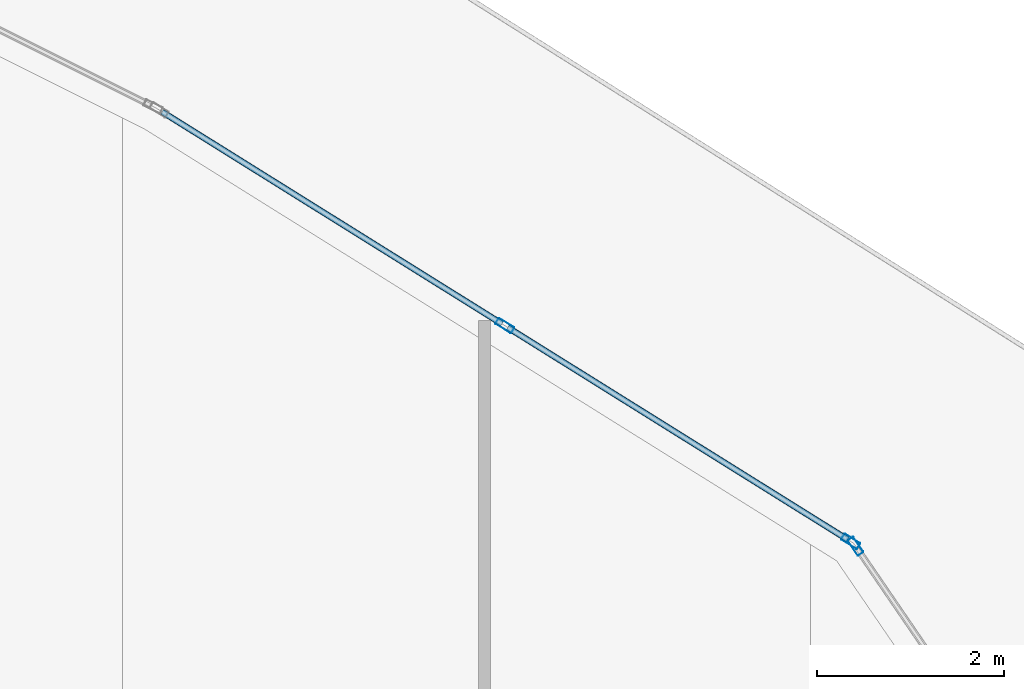
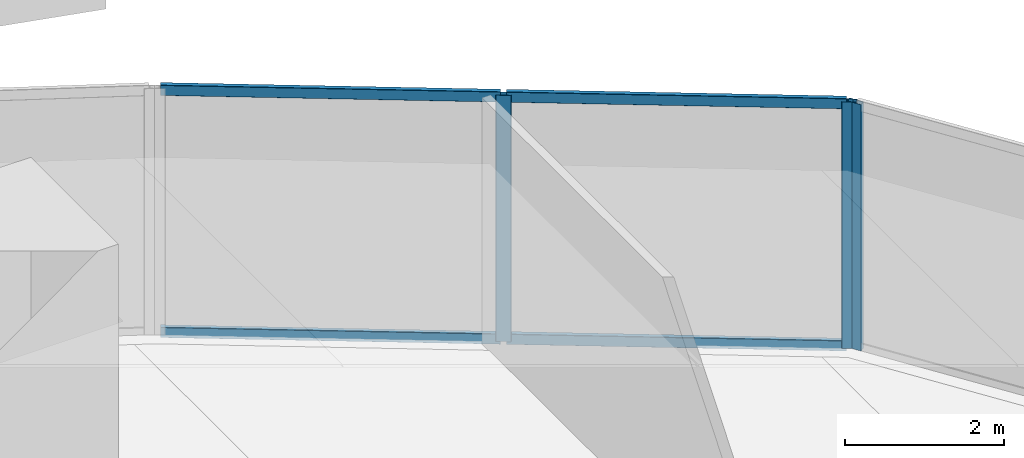
# One storey, part 22 of 38: 7 members, 2 elements without a shape of their own.
"""IFC4 building model written with IfcOpenShell, lengths in metres."""

from ifc_helpers import new_model, si_unit, direction, frame, origin, origin_2d, place, context, subcontext, project, spatial, hollow_rectangle, extrude, material, layer, layer_set, material_profile, profile_set, type_object, element, aggregate, save


model = new_model("IFC4")

# Units and contexts
model_context = context("Model", 3, precision=1e-05, world=origin(), true_north=direction((0.0, 1.0)))
body_context = subcontext(model_context, "Body", "Model", "MODEL_VIEW")
ifc_project = project(units=[si_unit("LENGTHUNIT", "METRE"), si_unit("AREAUNIT", "SQUARE_METRE"), si_unit("VOLUMEUNIT", "CUBIC_METRE"), si_unit("PLANEANGLEUNIT", "RADIAN"), si_unit("MASSUNIT", "GRAM", prefix="KILO")], contexts=[model_context])

# Site, building, storey
site_placement = place(None, origin())
site = spatial("IfcSite", under=ifc_project, at=site_placement, CompositionType="ELEMENT")
building_placement = place(site_placement, origin())
building = spatial("IfcBuilding", under=site, at=building_placement, Name="Qorvath Tower", CompositionType="ELEMENT")
storey_placement = place(building_placement, frame((0.0, 0.0, 158.39990234375)))
storey = spatial("IfcBuildingStorey", under=building, at=storey_placement, Name="L36", CompositionType="ELEMENT", Elevation=158.39990234375)

# Curtain wall, member
ifc_material_1 = material(Name="Anodised aluminium and triple low-E glass", Category="aluminium")
ifc_layer = layer(ifc_material_1, 0.179931640625)
ifc_layer_set = layer_set([ifc_layer], Name="CW-SYS-5")
curtain_wall_type = type_object("IfcCurtainWallType", Name="CW-SYS-5", PredefinedType="NOTDEFINED", material=ifc_layer_set)
curtain_wall_1_placement = place(storey_placement, origin())
curtain_wall_1 = element("IfcCurtainWall", 1, at=curtain_wall_1_placement, inside=storey, type_object=curtain_wall_type, Name="Curtain Wall CW-5 CW-T-L36-13.1", PredefinedType="NOTDEFINED")
ifc_material_2 = material(Name="Anodised aluminium 6063-T6", Category="aluminium")
ifc_material_profile_1 = material_profile(ifc_material_2, hollow_rectangle(XDim=0.074951171875, YDim=0.199951171875, WallThickness=0.00390625, InnerFilletRadius=0.00390625, OuterFilletRadius=0.008056640625, at=origin_2d()), Name="CWM 200x75")
ifc_profile_set_1 = profile_set([ifc_material_profile_1], Name="Anodised aluminium 6063-T6")
member_type_1 = type_object("IfcMemberType", Name="CWM-200", PredefinedType="MULLION", material=ifc_profile_set_1)
member_1_placement = place(storey_placement, frame((-4.56494140625, 22.56298828125, 0.0), z_axis=(0.0, 0.0, 1.0), x_axis=(-0.825559911065, -0.564314480802, 0.0)))
member_1 = element("IfcMember", 2, at=member_1_placement, type_object=member_type_1, Name="CW-5 mullion 2", PredefinedType="MULLION", context=body_context, shape_type="SweptSolid", body=[
    extrude(hollow_rectangle(XDim=0.074951171875, YDim=0.199951171875, WallThickness=0.00390625, InnerFilletRadius=0.00390625, OuterFilletRadius=0.008056640625, at=origin_2d()), origin(), (0.0, 0.0, 1.0), 3.780029296875),
])
aggregate(curtain_wall_1, [member_1])

# Curtain wall, members
curtain_wall_2_placement = place(storey_placement, origin())
curtain_wall_2 = element("IfcCurtainWall", 3, at=curtain_wall_2_placement, inside=storey, type_object=curtain_wall_type, Name="Curtain Wall CW-5 CW-T-L36-14.1", PredefinedType="NOTDEFINED")
member_2_placement = place(storey_placement, frame((-4.617919921875, 22.61376953125, 0.0), z_axis=(0.0, 0.0, 1.0), x_axis=(-0.52938420478, -0.848382203803, 0.0)))
member_2 = element("IfcMember", 4, at=member_2_placement, type_object=member_type_1, Name="CW-5 mullion 1", PredefinedType="MULLION", context=body_context, shape_type="SweptSolid", body=[
    extrude(hollow_rectangle(XDim=0.074951171875, YDim=0.199951171875, WallThickness=0.00390625, InnerFilletRadius=0.00390625, OuterFilletRadius=0.008056640625, at=origin_2d()), origin(), (0.0, 0.0, 1.0), 3.780029296875),
])
member_3_placement = place(storey_placement, frame((-8.30859375, 24.916748046875, 0.0), z_axis=(0.0, 0.0, 1.0), x_axis=(-0.52938420478, -0.848382203803, 0.0)))
member_3 = element("IfcMember", 5, at=member_3_placement, type_object=member_type_1, Name="CW-5 mullion 2", PredefinedType="MULLION", context=body_context, shape_type="SweptSolid", body=[
    extrude(hollow_rectangle(XDim=0.074951171875, YDim=0.199951171875, WallThickness=0.00390625, InnerFilletRadius=0.00390625, OuterFilletRadius=0.008056640625, at=origin_2d()), origin(), (0.0, 0.0, 1.0), 3.780029296875),
])
ifc_material_3 = material(Name="Anodised aluminium 6063-T6", Category="aluminium")
ifc_material_profile_2 = material_profile(ifc_material_3, hollow_rectangle(XDim=0.06494140625, YDim=0.159912109375, WallThickness=0.00341796875, InnerFilletRadius=0.00341796875, OuterFilletRadius=0.007080078125, at=origin_2d()), Name="CWT 160x65")
ifc_profile_set_2 = profile_set([ifc_material_profile_2], Name="Anodised aluminium 6063-T6")
member_type_2 = type_object("IfcMemberType", Name="CWT-160", PredefinedType="USERDEFINED", material=ifc_profile_set_2)
member_4_placement = place(storey_placement, frame((-4.64990234375, 22.6337890625, 0.032470703125), z_axis=(-0.848383071961, 0.529382813481, 0.0), x_axis=(-0.529382813481, -0.848383071961, 0.0)))
member_4 = element("IfcMember", 6, at=member_4_placement, type_object=member_type_2, Name="CW-5 transom 1.1", ObjectType="TRANSOM", PredefinedType="USERDEFINED", context=body_context, shape_type="SweptSolid", body=[
    extrude(hollow_rectangle(XDim=0.06494140625, YDim=0.159912109375, WallThickness=0.00341796875, InnerFilletRadius=0.00341796875, OuterFilletRadius=0.007080078125, at=origin_2d()), origin(), (0.0, 0.0, 1.0), 4.275146484375),
])
member_5_placement = place(storey_placement, frame((-4.64990234375, 22.6337890625, 3.74755859375), z_axis=(-0.848383071961, 0.529382813481, 0.0), x_axis=(-0.529382813481, -0.848383071961, 0.0)))
member_5 = element("IfcMember", 7, at=member_5_placement, type_object=member_type_2, Name="CW-5 transom 1.2", ObjectType="TRANSOM", PredefinedType="USERDEFINED", context=body_context, shape_type="SweptSolid", body=[
    extrude(hollow_rectangle(XDim=0.06494140625, YDim=0.159912109375, WallThickness=0.00341796875, InnerFilletRadius=0.00341796875, OuterFilletRadius=0.007080078125, at=origin_2d()), origin(), (0.0, 0.0, 1.0), 4.275146484375),
])
member_6_placement = place(storey_placement, frame((-8.34033203125, 24.9365234375, 0.032470703125), z_axis=(-0.848383071961, 0.529382813481, 0.0), x_axis=(-0.529382813481, -0.848383071961, 0.0)))
member_6 = element("IfcMember", 8, at=member_6_placement, type_object=member_type_2, Name="CW-5 transom 2.1", ObjectType="TRANSOM", PredefinedType="USERDEFINED", context=body_context, shape_type="SweptSolid", body=[
    extrude(hollow_rectangle(XDim=0.06494140625, YDim=0.159912109375, WallThickness=0.00341796875, InnerFilletRadius=0.00341796875, OuterFilletRadius=0.007080078125, at=origin_2d()), origin(), (0.0, 0.0, 1.0), 4.275146484375),
])
member_7_placement = place(storey_placement, frame((-8.34033203125, 24.9365234375, 3.74755859375), z_axis=(-0.848383071961, 0.529382813481, 0.0), x_axis=(-0.529382813481, -0.848383071961, 0.0)))
member_7 = element("IfcMember", 9, at=member_7_placement, type_object=member_type_2, Name="CW-5 transom 2.2", ObjectType="TRANSOM", PredefinedType="USERDEFINED", context=body_context, shape_type="SweptSolid", body=[
    extrude(hollow_rectangle(XDim=0.06494140625, YDim=0.159912109375, WallThickness=0.00341796875, InnerFilletRadius=0.00341796875, OuterFilletRadius=0.007080078125, at=origin_2d()), origin(), (0.0, 0.0, 1.0), 4.275146484375),
])
aggregate(curtain_wall_2, [member_2, member_3, member_4, member_5, member_6, member_7])

save(model, "model.ifc")
